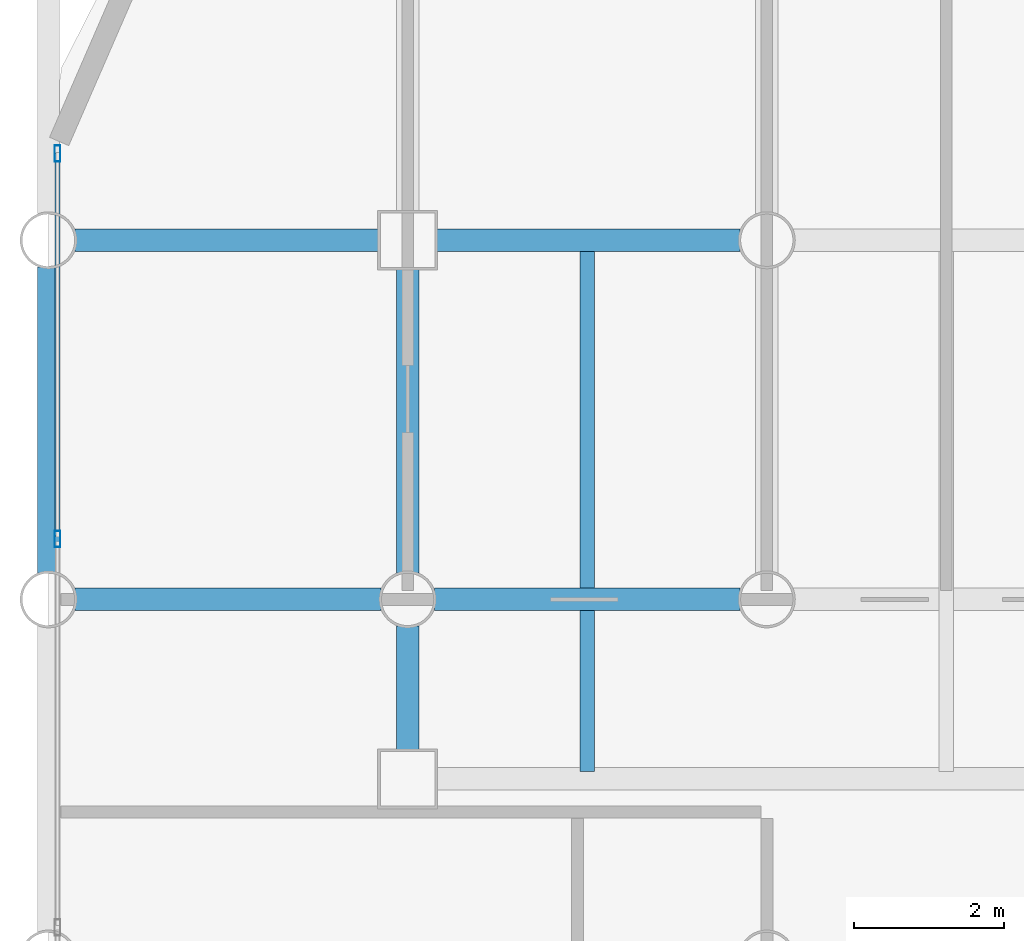
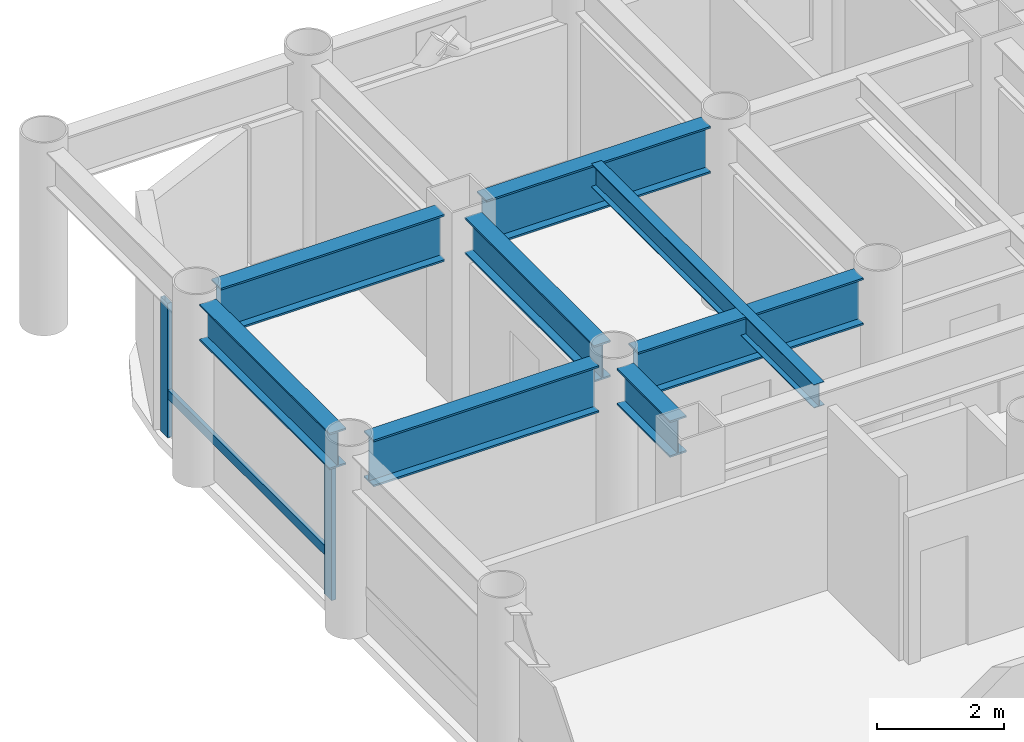
# One storey, part 9 of 20: 8 beams, 3 members, 1 element without a shape of its own.
"""IFC4 building model written with IfcOpenShell, lengths in metres."""

import ifcopenshell
import ifcopenshell.guid

model = None  # the IFC model being written
_history = None  # IfcOwnerHistory: only IFC2X3 demands one
_inside = {}  # id of a spatial element -> (the spatial element, [elements in it])
_under = {}  # id of a project, library or spatial element -> (it, [spatial elements below it])
_declared = {}  # id of a project -> (the project, [libraries it declares])
_typed = {}  # id of a type object -> (the type object, [elements of that type])
_made_of = {}  # id of a material, layer set ... -> (it, [elements and type objects made of it])


def new_model(schema):
    """Start an empty IFC model of exactly this schema.

    Asked for "IFC4X3", IfcOpenShell would pick the latest addendum, in which some entities
    have other attributes; the version numbers below select the first issue.
    IFC2X3 requires an IfcOwnerHistory on every rooted entity: one is made here for all.
    """
    global model, _history
    if schema == "IFC4X3":
        model = ifcopenshell.file(schema_version=(4, 3, 0, 0))
    else:
        model = ifcopenshell.file(schema=schema)
    _inside.clear()
    _under.clear()
    _declared.clear()
    _typed.clear()
    _made_of.clear()
    _history = None
    if model.schema == "IFC2X3":
        org = make("IfcOrganization", Name="unknown")
        user = make(
            "IfcPersonAndOrganization",
            ThePerson=make("IfcPerson", FamilyName="unknown"),
            TheOrganization=org,
        )
        app = make(
            "IfcApplication",
            ApplicationDeveloper=org,
            Version="unknown",
            ApplicationFullName="unknown",
            ApplicationIdentifier="unknown",
        )
        _history = make(
            "IfcOwnerHistory",
            OwningUser=user,
            OwningApplication=app,
            ChangeAction="ADDED",
            CreationDate=0,
        )
    return model


def make(cls, **values):
    """One entity of the class cls with the attributes given. An attribute that is None is left unset."""
    return model.create_entity(
        cls, **{name: value for name, value in values.items() if value is not None}
    )


def rooted(cls, **values):
    """An entity with a GlobalId (a new one), such as an element, a storey or a relation."""
    return make(cls, GlobalId=ifcopenshell.guid.new(), OwnerHistory=_history, **values)


def si_unit(unit_type, name, prefix=None):
    """IfcSIUnit, for example si_unit("LENGTHUNIT", "METRE", prefix="MILLI")."""
    return make("IfcSIUnit", UnitType=unit_type, Prefix=prefix, Name=name)


def assignment(units):
    """IfcUnitAssignment: the units of a project."""
    return None if units is None else make("IfcUnitAssignment", Units=units)


def point(xyz):
    """IfcCartesianPoint."""
    return None if xyz is None else make("IfcCartesianPoint", Coordinates=xyz)


def direction(xyz):
    """IfcDirection."""
    return None if xyz is None else make("IfcDirection", DirectionRatios=xyz)


def frame(location, z_axis=None, x_axis=None):
    """IfcAxis2Placement3D, a coordinate frame: its origin and axes. An axis left out is left unset."""
    return make(
        "IfcAxis2Placement3D",
        Location=point(location),
        Axis=direction(z_axis),
        RefDirection=direction(x_axis),
    )


def frame_2d(location, x_axis=None):
    """IfcAxis2Placement2D, a coordinate frame in the plane: its origin and x axis."""
    return make(
        "IfcAxis2Placement2D", Location=point(location), RefDirection=direction(x_axis)
    )


def origin():
    """The frame at (0, 0, 0) with its axes left unset."""
    return frame((0.0, 0.0, 0.0))


def origin_2d():
    """The frame at (0, 0) in the plane with its x axis left unset."""
    return frame_2d((0.0, 0.0))


def place(relative_to, where):
    """IfcLocalPlacement: puts the frame where relative to a parent placement (None: the world)."""
    return make(
        "IfcLocalPlacement", PlacementRelTo=relative_to, RelativePlacement=where
    )


def context(
    kind, dimensions, precision=None, world=None, true_north=None, identifier=None
):
    """IfcGeometricRepresentationContext, for example the 3D "Model" context."""
    return make(
        "IfcGeometricRepresentationContext",
        ContextIdentifier=identifier,
        ContextType=kind,
        CoordinateSpaceDimension=dimensions,
        Precision=precision,
        WorldCoordinateSystem=world,
        TrueNorth=true_north,
    )


def subcontext(parent, identifier, kind, view, scale=None):
    """IfcGeometricRepresentationSubContext, for example "Body" below "Model"."""
    return make(
        "IfcGeometricRepresentationSubContext",
        ContextIdentifier=identifier,
        ContextType=kind,
        ParentContext=parent,
        TargetScale=scale,
        TargetView=view,
    )


def project(units=None, contexts=None):
    """IfcProject with its units and contexts."""
    return rooted(
        "IfcProject",
        Name="project",
        RepresentationContexts=contexts,
        UnitsInContext=assignment(units),
    )


def spatial(cls, under=None, at=None, **own):
    """A site, building, storey or space (cls), placed at a placement, below another one or the project."""
    s = rooted(cls, ObjectPlacement=at, **own)
    if under is not None:
        _under.setdefault(under.id(), (under, []))[1].append(s)
    return s


def profile(cls, at=None, kind="AREA", **sizes):
    """A parametric profile (cls). Its sizes go by their IFC names, for example OverallWidth=200.0."""
    return make(cls, ProfileType=kind, Position=at, **sizes)


def hollow_rectangle(**sizes):
    """IfcRectangleHollowProfileDef."""
    return profile("IfcRectangleHollowProfileDef", **sizes)


def i_section(**sizes):
    """IfcIShapeProfileDef."""
    return profile("IfcIShapeProfileDef", **sizes)


def extrude(swept, where, along, depth):
    """IfcExtrudedAreaSolid: the profile swept, set in the frame where, extruded along a direction by depth."""
    return make(
        "IfcExtrudedAreaSolid",
        SweptArea=swept,
        Position=where,
        ExtrudedDirection=direction(along),
        Depth=depth,
    )


def shape(context_of_items, identifier, shape_type, items):
    """IfcShapeRepresentation: the items that make up one representation, for example the "Body"."""
    return make(
        "IfcShapeRepresentation",
        ContextOfItems=context_of_items,
        RepresentationIdentifier=identifier,
        RepresentationType=shape_type,
        Items=items,
    )


def material(Name=None, Category=None):
    """IfcMaterial."""
    return make("IfcMaterial", Name=Name, Category=Category)


def layer(
    of_material, thickness, ventilated=None, Name=None, Category=None, Priority=None
):
    """IfcMaterialLayer: one layer of a wall or slab, of a material (None: an air gap)."""
    return make(
        "IfcMaterialLayer",
        Material=of_material,
        LayerThickness=thickness,
        IsVentilated=ventilated,
        Name=Name,
        Category=Category,
        Priority=Priority,
    )


def layer_set(layers, Name=None):
    """IfcMaterialLayerSet."""
    return make("IfcMaterialLayerSet", MaterialLayers=layers, LayerSetName=Name)


def material_profile(
    of_material, cross_section, Name=None, Category=None, Priority=None
):
    """IfcMaterialProfile: a cross section and its material."""
    return make(
        "IfcMaterialProfile",
        Name=Name,
        Material=of_material,
        Profile=cross_section,
        Priority=Priority,
        Category=Category,
    )


def profile_set(profiles, Name=None, composite=None):
    """IfcMaterialProfileSet."""
    return make(
        "IfcMaterialProfileSet",
        Name=Name,
        MaterialProfiles=profiles,
        CompositeProfile=composite,
    )


def made_of(thing, what):
    """Note that an element or type object is made of a material, layer set ...; save() writes the relation."""
    if what is not None:
        _made_of.setdefault(what.id(), (what, []))[1].append(thing)
    return thing


def type_object(cls, material=None, **own):
    """A type object (cls), such as IfcWallType, which elements share."""
    return made_of(rooted(cls, **own), material)


def element(
    cls,
    number,
    at=None,
    inside=None,
    cuts=None,
    type_object=None,
    material=None,
    context=None,
    identifier="Body",
    shape_type=None,
    held_by="IfcProductDefinitionShape",
    body=None,
    shapes=None,
    **own,
):
    """One element of the class cls, such as IfcWall. Its Tag is "e" and its number.

    at: its placement. inside: the storey or other place that contains it. cuts: it is an
    opening in that element (IfcRelVoidsElement). A single representation is given by context,
    identifier, shape_type and body (its items); several are given by shapes. held_by: the class
    of the entity that holds the representations. save() writes the other relations.
    """
    e = rooted(cls, Tag="e%d" % number, ObjectPlacement=at, **own)
    if body is not None:
        shapes = [shape(context, identifier, shape_type, body)]
    if shapes is not None:
        e.Representation = make(held_by, Representations=shapes)
    if inside is not None:
        _inside.setdefault(inside.id(), (inside, []))[1].append(e)
    if cuts is not None:
        rooted(
            "IfcRelVoidsElement", RelatingBuildingElement=cuts, RelatedOpeningElement=e
        )
    if type_object is not None:
        _typed.setdefault(type_object.id(), (type_object, []))[1].append(e)
    return made_of(e, material)


def aggregate(whole, parts):
    """IfcRelAggregates: a whole, such as a stair, and the parts it consists of."""
    return rooted("IfcRelAggregates", RelatingObject=whole, RelatedObjects=parts)


def save(model, path):
    """Write the relations noted so far, then the file.

    IfcRelAggregates (storeys below a building ...), IfcRelContainedInSpatialStructure (elements
    in a storey), IfcRelDefinesByType, IfcRelAssociatesMaterial and IfcRelDeclares: one each for
    every whole, place, type object, material and project.
    """
    for whole, parts in _under.values():
        aggregate(whole, parts)
    for where, things in _inside.values():
        rooted(
            "IfcRelContainedInSpatialStructure",
            RelatedElements=things,
            RelatingStructure=where,
        )
    for kind, things in _typed.values():
        rooted("IfcRelDefinesByType", RelatedObjects=things, RelatingType=kind)
    for what, things in _made_of.values():
        rooted("IfcRelAssociatesMaterial", RelatedObjects=things, RelatingMaterial=what)
    for by, libraries in _declared.values():
        rooted("IfcRelDeclares", RelatingContext=by, RelatedDefinitions=libraries)
    model.write(path)


model = new_model("IFC4")

# Units and contexts
model_context = context("Model", 3, precision=1e-05, world=origin(), true_north=direction((0.0, 1.0)))
body_context = subcontext(model_context, "Body", "Model", "MODEL_VIEW")
ifc_project = project(units=[si_unit("LENGTHUNIT", "METRE"), si_unit("AREAUNIT", "SQUARE_METRE"), si_unit("VOLUMEUNIT", "CUBIC_METRE"), si_unit("PLANEANGLEUNIT", "RADIAN"), si_unit("MASSUNIT", "GRAM", prefix="KILO")], contexts=[model_context])

# Site, building, storey
site_placement = place(None, origin())
site = spatial("IfcSite", under=ifc_project, at=site_placement, CompositionType="ELEMENT")
building_placement = place(site_placement, origin())
building = spatial("IfcBuilding", under=site, at=building_placement, Name="Kallvorn Hotel Tower", CompositionType="ELEMENT")
storey_placement = place(building_placement, frame((0.0, 0.0, 74.39990234375)))
storey = spatial("IfcBuildingStorey", under=building, at=storey_placement, Name="L17", CompositionType="ELEMENT", Elevation=74.39990234375)

# Beams
ifc_material_1 = material(Name="Structural steel S355JR", Category="steel")
ifc_material_profile_1 = material_profile(ifc_material_1, i_section(OverallWidth=0.300048828125, OverallDepth=0.699951171875, WebThickness=0.01708984375, FlangeThickness=0.031982421875, at=origin_2d()), Name="HE 700 B")
ifc_profile_set_1 = profile_set([ifc_material_profile_1], Name="Structural steel S355JR")
beam_type_1 = type_object("IfcBeamType", Name="BM_HE700B", PredefinedType="BEAM", material=ifc_profile_set_1)
beam_1_placement = place(storey_placement, frame((-28.800048828125, 9.9560546875, 3.170166015625), z_axis=(0.0, 1.0, 0.0), x_axis=(-1.0, 0.0, 0.0)))
element("IfcBeam", 1, at=beam_1_placement, inside=storey, type_object=beam_type_1, Name="L18 Primary Y-Girder 79", PredefinedType="BEAM", context=body_context, shape_type="SweptSolid", body=[
    extrude(i_section(OverallWidth=0.300048828125, OverallDepth=0.699951171875, WebThickness=0.01708984375, FlangeThickness=0.031982421875, at=origin_2d()), origin(), (0.0, 0.0, 1.0), 4.087890625),
])
beam_2_placement = place(storey_placement, frame((-24.0, 7.574951171875, 3.170166015625), z_axis=(0.0, 1.0, 0.0), x_axis=(-1.0, 0.0, 0.0)))
element("IfcBeam", 2, at=beam_2_placement, inside=storey, type_object=beam_type_1, Name="L18 Primary Y-Girder 85", PredefinedType="BEAM", context=body_context, shape_type="SweptSolid", body=[
    extrude(i_section(OverallWidth=0.300048828125, OverallDepth=0.699951171875, WebThickness=0.01708984375, FlangeThickness=0.031982421875, at=origin_2d()), origin(), (0.0, 0.0, 1.0), 1.6689453125),
])
beam_3_placement = place(storey_placement, frame((-24.0, 9.9560546875, 3.170166015625), z_axis=(0.0, 1.0, 0.0), x_axis=(-1.0, 0.0, 0.0)))
element("IfcBeam", 3, at=beam_3_placement, inside=storey, type_object=beam_type_1, Name="L18 Primary Y-Girder 86", PredefinedType="BEAM", context=body_context, shape_type="SweptSolid", body=[
    extrude(i_section(OverallWidth=0.300048828125, OverallDepth=0.699951171875, WebThickness=0.01708984375, FlangeThickness=0.031982421875, at=origin_2d()), origin(), (0.0, 0.0, 1.0), 4.06884765625),
])
ifc_material_2 = material(Name="Structural steel S355JR", Category="steel")
ifc_material_profile_2 = material_profile(ifc_material_2, i_section(OverallWidth=0.300048828125, OverallDepth=0.89990234375, WebThickness=0.0185546875, FlangeThickness=0.034912109375, at=origin_2d()), Name="HE 900 B")
ifc_profile_set_2 = profile_set([ifc_material_profile_2], Name="Structural steel S355JR")
beam_type_2 = type_object("IfcBeamType", Name="BM_HE900B", PredefinedType="BEAM", material=ifc_profile_set_2)
for number, where, z_axis, x_axis, name in (
    (4, (-28.444091796875, 9.60009765625, 3.070068359375), (1.0, 0.0, 0.0), (0.0, 1.0, 0.0), "L18 Primary X-Girder 42"),
    (5, (-23.64404296875, 9.60009765625, 3.070068359375), (1.0, 0.0, 0.0), (0.0, 1.0, 0.0), "L18 Primary X-Girder 43"),
):
    element("IfcBeam", number, at=place(storey_placement, frame(where, z_axis=z_axis, x_axis=x_axis)), inside=storey, type_object=beam_type_2, Name=name, PredefinedType="BEAM", context=body_context, shape_type="SweptSolid", body=[
        extrude(i_section(OverallWidth=0.300048828125, OverallDepth=0.89990234375, WebThickness=0.0185546875, FlangeThickness=0.034912109375, at=origin_2d()), origin(), (0.0, 0.0, 1.0), 4.088134765625),
    ])
for number, where, z_axis, x_axis, name in (
    (6, (-28.444091796875, 14.39990234375, 3.070068359375), (1.0, 0.0, 0.0), (0.0, 1.0, 0.0), "L18 Primary X-Girder 51"),
    (7, (-23.625, 14.39990234375, 3.070068359375), (1.0, 0.0, 0.0), (0.0, 1.0, 0.0), "L18 Primary X-Girder 52"),
):
    element("IfcBeam", number, at=place(storey_placement, frame(where, z_axis=z_axis, x_axis=x_axis)), inside=storey, type_object=beam_type_2, Name=name, PredefinedType="BEAM", context=body_context, shape_type="SweptSolid", body=[
        extrude(i_section(OverallWidth=0.300048828125, OverallDepth=0.89990234375, WebThickness=0.0185546875, FlangeThickness=0.034912109375, at=origin_2d()), origin(), (0.0, 0.0, 1.0), 4.069091796875),
    ])
ifc_material_3 = material(Name="Structural steel S355JR", Category="steel")
ifc_material_profile_3 = material_profile(ifc_material_3, i_section(OverallWidth=0.18994140625, OverallDepth=0.449951171875, WebThickness=0.009521484375, FlangeThickness=0.0146484375, at=origin_2d()), Name="IPE 450")
ifc_profile_set_3 = profile_set([ifc_material_profile_3], Name="Structural steel S355JR")
beam_type_3 = type_object("IfcBeamType", Name="BM_IPE450", PredefinedType="JOIST", material=ifc_profile_set_3)
beam_4_placement = place(storey_placement, frame((-21.60009765625, 7.300048828125, 3.295166015625), z_axis=(0.0, 1.0, 0.0), x_axis=(-1.0, 0.0, 0.0)))
element("IfcBeam", 8, at=beam_4_placement, inside=storey, type_object=beam_type_3, Name="L18 Secondary Composite Joist 193", PredefinedType="JOIST", context=body_context, shape_type="SweptSolid", body=[
    extrude(i_section(OverallWidth=0.18994140625, OverallDepth=0.449951171875, WebThickness=0.009521484375, FlangeThickness=0.0146484375, at=origin_2d()), origin(), (0.0, 0.0, 1.0), 7.0),
])

# Curtain wall, members
ifc_material_4 = material(Name="Thermally broken black-anodised aluminium AA 6063-T6", Category="aluminium")
ifc_layer = layer(ifc_material_4, 0.199951171875)
ifc_layer_set = layer_set([ifc_layer], Name="CW_SYS_3_HOTEL_LOW")
curtain_wall_type = type_object("IfcCurtainWallType", Name="CW_SYS_3_HOTEL_LOW", PredefinedType="USERDEFINED", material=ifc_layer_set)
curtain_wall_placement = place(storey_placement, origin())
curtain_wall = element("IfcCurtainWall", 9, at=curtain_wall_placement, inside=storey, type_object=curtain_wall_type, Name="L17 Dark-Glass Curtain Wall CW-L17-WN", ObjectType="UNITISED CURTAIN WALL", PredefinedType="USERDEFINED")
ifc_material_5 = material(Name="Thermally broken black-anodised aluminium AA 6063-T6", Category="aluminium")
ifc_material_profile_4 = material_profile(ifc_material_5, hollow_rectangle(XDim=0.080078125, YDim=0.219970703125, WallThickness=0.0048828125, at=origin_2d()), Name="MUL 220x80")
ifc_profile_set_4 = profile_set([ifc_material_profile_4], Name="Thermally broken black-anodised aluminium AA 6063-T6")
member_type_1 = type_object("IfcMemberType", Name="CW_MULLION_220x80", PredefinedType="MULLION", material=ifc_profile_set_4)
member_1_placement = place(storey_placement, frame((-28.679931640625, 10.40673828125, 0.02001953125), z_axis=(0.0, 0.0, 1.0), x_axis=(1.0, 0.0, 0.0)))
member_1 = element("IfcMember", 10, at=member_1_placement, type_object=member_type_1, Name="CW-L17-WN Mullion 02", PredefinedType="MULLION", context=body_context, shape_type="SweptSolid", body=[
    extrude(hollow_rectangle(XDim=0.080078125, YDim=0.219970703125, WallThickness=0.0048828125, at=origin_2d()), origin(), (0.0, 0.0, 1.0), 2.580078125),
])
member_2_placement = place(storey_placement, frame((-28.679931640625, 15.56005859375, 0.02001953125), z_axis=(0.0, 0.0, 1.0), x_axis=(1.0, 0.0, 0.0)))
member_2 = element("IfcMember", 11, at=member_2_placement, type_object=member_type_1, Name="CW-L17-WN Mullion 03", PredefinedType="MULLION", context=body_context, shape_type="SweptSolid", body=[
    extrude(hollow_rectangle(XDim=0.080078125, YDim=0.219970703125, WallThickness=0.0048828125, at=origin_2d()), origin(), (0.0, 0.0, 1.0), 2.580078125),
])
ifc_material_6 = material(Name="Thermally broken black-anodised aluminium AA 6063-T6", Category="aluminium")
ifc_material_profile_5 = material_profile(ifc_material_6, hollow_rectangle(XDim=0.070068359375, YDim=0.179931640625, WallThickness=0.00390625, at=origin_2d()), Name="TRN 180x70")
ifc_profile_set_5 = profile_set([ifc_material_profile_5], Name="Thermally broken black-anodised aluminium AA 6063-T6")
member_type_2 = type_object("IfcMemberType", Name="CW_TRANSOM_180x70", PredefinedType="USERDEFINED", material=ifc_profile_set_5)
member_3_placement = place(storey_placement, frame((-28.679931640625, 10.44677734375, 0.85009765625), z_axis=(0.0, 1.0, 0.0), x_axis=(-1.0, 0.0, 0.0)))
member_3 = element("IfcMember", 12, at=member_3_placement, type_object=member_type_2, Name="CW-L17-WN Transom 02M", ObjectType="TRANSOM", PredefinedType="USERDEFINED", context=body_context, shape_type="SweptSolid", body=[
    extrude(hollow_rectangle(XDim=0.070068359375, YDim=0.179931640625, WallThickness=0.00390625, at=origin_2d()), origin(), (0.0, 0.0, 1.0), 5.11328125),
])
aggregate(curtain_wall, [member_1, member_2, member_3])

save(model, "model.ifc")
